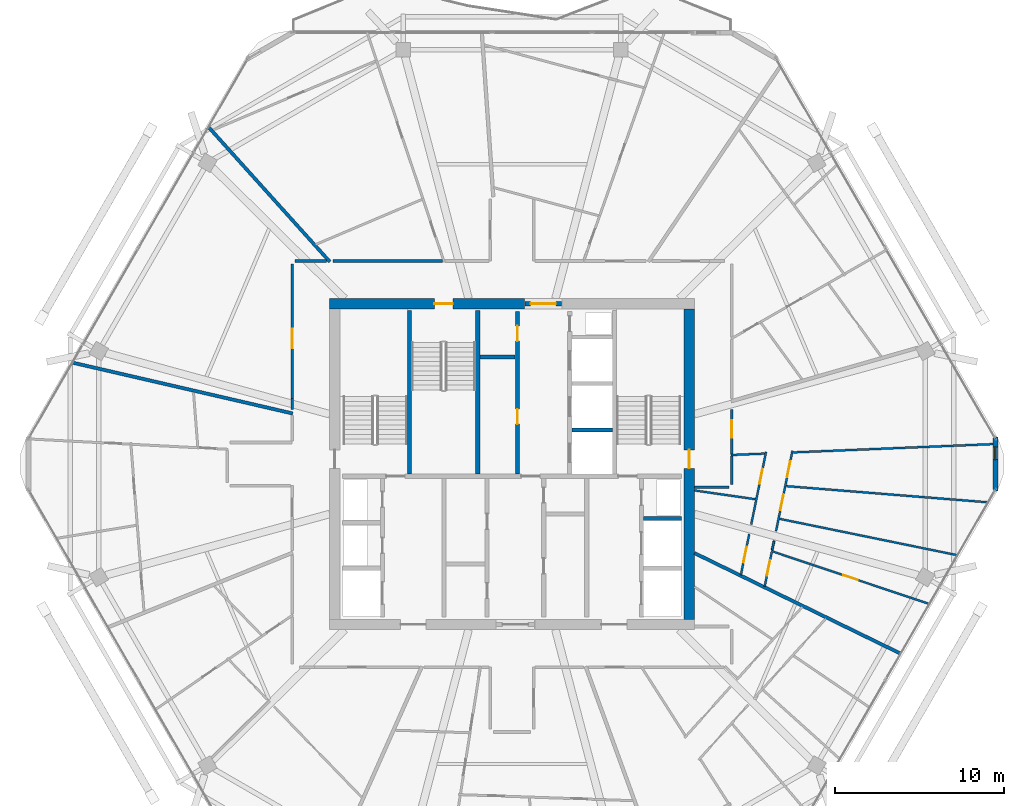
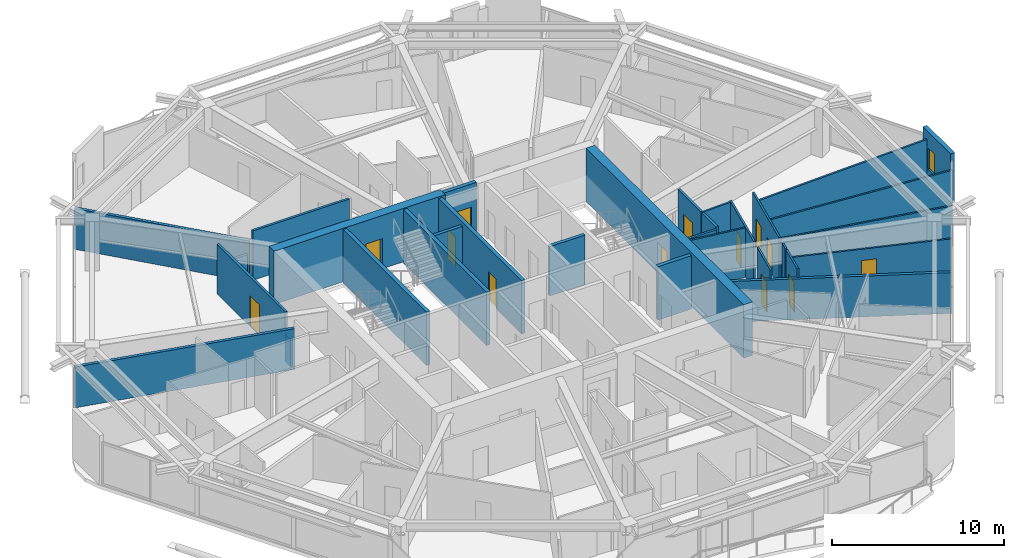
# One storey, part 22 of 26: 31 walls, 13 doors, 1 window, 14 openings.
"""IFC4 building model written with IfcOpenShell, lengths in metres."""

import ifcopenshell
import ifcopenshell.guid

model = None  # the IFC model being written
_history = None  # IfcOwnerHistory: only IFC2X3 demands one
_inside = {}  # id of a spatial element -> (the spatial element, [elements in it])
_under = {}  # id of a project, library or spatial element -> (it, [spatial elements below it])
_declared = {}  # id of a project -> (the project, [libraries it declares])
_typed = {}  # id of a type object -> (the type object, [elements of that type])
_made_of = {}  # id of a material, layer set ... -> (it, [elements and type objects made of it])


def new_model(schema):
    """Start an empty IFC model of exactly this schema.

    Asked for "IFC4X3", IfcOpenShell would pick the latest addendum, in which some entities
    have other attributes; the version numbers below select the first issue.
    IFC2X3 requires an IfcOwnerHistory on every rooted entity: one is made here for all.
    """
    global model, _history
    if schema == "IFC4X3":
        model = ifcopenshell.file(schema_version=(4, 3, 0, 0))
    else:
        model = ifcopenshell.file(schema=schema)
    _inside.clear()
    _under.clear()
    _declared.clear()
    _typed.clear()
    _made_of.clear()
    _history = None
    if model.schema == "IFC2X3":
        org = make("IfcOrganization", Name="unknown")
        user = make(
            "IfcPersonAndOrganization",
            ThePerson=make("IfcPerson", FamilyName="unknown"),
            TheOrganization=org,
        )
        app = make(
            "IfcApplication",
            ApplicationDeveloper=org,
            Version="unknown",
            ApplicationFullName="unknown",
            ApplicationIdentifier="unknown",
        )
        _history = make(
            "IfcOwnerHistory",
            OwningUser=user,
            OwningApplication=app,
            ChangeAction="ADDED",
            CreationDate=0,
        )
    return model


def make(cls, **values):
    """One entity of the class cls with the attributes given. An attribute that is None is left unset."""
    return model.create_entity(
        cls, **{name: value for name, value in values.items() if value is not None}
    )


def rooted(cls, **values):
    """An entity with a GlobalId (a new one), such as an element, a storey or a relation."""
    return make(cls, GlobalId=ifcopenshell.guid.new(), OwnerHistory=_history, **values)


def si_unit(unit_type, name, prefix=None):
    """IfcSIUnit, for example si_unit("LENGTHUNIT", "METRE", prefix="MILLI")."""
    return make("IfcSIUnit", UnitType=unit_type, Prefix=prefix, Name=name)


def assignment(units):
    """IfcUnitAssignment: the units of a project."""
    return None if units is None else make("IfcUnitAssignment", Units=units)


def point(xyz):
    """IfcCartesianPoint."""
    return None if xyz is None else make("IfcCartesianPoint", Coordinates=xyz)


def direction(xyz):
    """IfcDirection."""
    return None if xyz is None else make("IfcDirection", DirectionRatios=xyz)


def frame(location, z_axis=None, x_axis=None):
    """IfcAxis2Placement3D, a coordinate frame: its origin and axes. An axis left out is left unset."""
    return make(
        "IfcAxis2Placement3D",
        Location=point(location),
        Axis=direction(z_axis),
        RefDirection=direction(x_axis),
    )


def frame_2d(location, x_axis=None):
    """IfcAxis2Placement2D, a coordinate frame in the plane: its origin and x axis."""
    return make(
        "IfcAxis2Placement2D", Location=point(location), RefDirection=direction(x_axis)
    )


def origin():
    """The frame at (0, 0, 0) with its axes left unset."""
    return frame((0.0, 0.0, 0.0))


def place(relative_to, where):
    """IfcLocalPlacement: puts the frame where relative to a parent placement (None: the world)."""
    return make(
        "IfcLocalPlacement", PlacementRelTo=relative_to, RelativePlacement=where
    )


def context(
    kind, dimensions, precision=None, world=None, true_north=None, identifier=None
):
    """IfcGeometricRepresentationContext, for example the 3D "Model" context."""
    return make(
        "IfcGeometricRepresentationContext",
        ContextIdentifier=identifier,
        ContextType=kind,
        CoordinateSpaceDimension=dimensions,
        Precision=precision,
        WorldCoordinateSystem=world,
        TrueNorth=true_north,
    )


def subcontext(parent, identifier, kind, view, scale=None):
    """IfcGeometricRepresentationSubContext, for example "Body" below "Model"."""
    return make(
        "IfcGeometricRepresentationSubContext",
        ContextIdentifier=identifier,
        ContextType=kind,
        ParentContext=parent,
        TargetScale=scale,
        TargetView=view,
    )


def project(units=None, contexts=None):
    """IfcProject with its units and contexts."""
    return rooted(
        "IfcProject",
        Name="project",
        RepresentationContexts=contexts,
        UnitsInContext=assignment(units),
    )


def spatial(cls, under=None, at=None, **own):
    """A site, building, storey or space (cls), placed at a placement, below another one or the project."""
    s = rooted(cls, ObjectPlacement=at, **own)
    if under is not None:
        _under.setdefault(under.id(), (under, []))[1].append(s)
    return s


def profile(cls, at=None, kind="AREA", **sizes):
    """A parametric profile (cls). Its sizes go by their IFC names, for example OverallWidth=200.0."""
    return make(cls, ProfileType=kind, Position=at, **sizes)


def rectangle(**sizes):
    """IfcRectangleProfileDef."""
    return profile("IfcRectangleProfileDef", **sizes)


def extrude(swept, where, along, depth):
    """IfcExtrudedAreaSolid: the profile swept, set in the frame where, extruded along a direction by depth."""
    return make(
        "IfcExtrudedAreaSolid",
        SweptArea=swept,
        Position=where,
        ExtrudedDirection=direction(along),
        Depth=depth,
    )


def shape(context_of_items, identifier, shape_type, items):
    """IfcShapeRepresentation: the items that make up one representation, for example the "Body"."""
    return make(
        "IfcShapeRepresentation",
        ContextOfItems=context_of_items,
        RepresentationIdentifier=identifier,
        RepresentationType=shape_type,
        Items=items,
    )


def material(Name=None, Category=None):
    """IfcMaterial."""
    return make("IfcMaterial", Name=Name, Category=Category)


def layer(
    of_material, thickness, ventilated=None, Name=None, Category=None, Priority=None
):
    """IfcMaterialLayer: one layer of a wall or slab, of a material (None: an air gap)."""
    return make(
        "IfcMaterialLayer",
        Material=of_material,
        LayerThickness=thickness,
        IsVentilated=ventilated,
        Name=Name,
        Category=Category,
        Priority=Priority,
    )


def layer_set(layers, Name=None):
    """IfcMaterialLayerSet."""
    return make("IfcMaterialLayerSet", MaterialLayers=layers, LayerSetName=Name)


def made_of(thing, what):
    """Note that an element or type object is made of a material, layer set ...; save() writes the relation."""
    if what is not None:
        _made_of.setdefault(what.id(), (what, []))[1].append(thing)
    return thing


def type_object(cls, material=None, **own):
    """A type object (cls), such as IfcWallType, which elements share."""
    return made_of(rooted(cls, **own), material)


def element(
    cls,
    number,
    at=None,
    inside=None,
    cuts=None,
    type_object=None,
    material=None,
    context=None,
    identifier="Body",
    shape_type=None,
    held_by="IfcProductDefinitionShape",
    body=None,
    shapes=None,
    **own,
):
    """One element of the class cls, such as IfcWall. Its Tag is "e" and its number.

    at: its placement. inside: the storey or other place that contains it. cuts: it is an
    opening in that element (IfcRelVoidsElement). A single representation is given by context,
    identifier, shape_type and body (its items); several are given by shapes. held_by: the class
    of the entity that holds the representations. save() writes the other relations.
    """
    e = rooted(cls, Tag="e%d" % number, ObjectPlacement=at, **own)
    if body is not None:
        shapes = [shape(context, identifier, shape_type, body)]
    if shapes is not None:
        e.Representation = make(held_by, Representations=shapes)
    if inside is not None:
        _inside.setdefault(inside.id(), (inside, []))[1].append(e)
    if cuts is not None:
        rooted(
            "IfcRelVoidsElement", RelatingBuildingElement=cuts, RelatedOpeningElement=e
        )
    if type_object is not None:
        _typed.setdefault(type_object.id(), (type_object, []))[1].append(e)
    return made_of(e, material)


def fill(opening, filler):
    """IfcRelFillsElement: the door or window that sits in an opening."""
    return rooted(
        "IfcRelFillsElement",
        RelatingOpeningElement=opening,
        RelatedBuildingElement=filler,
    )


def aggregate(whole, parts):
    """IfcRelAggregates: a whole, such as a stair, and the parts it consists of."""
    return rooted("IfcRelAggregates", RelatingObject=whole, RelatedObjects=parts)


def save(model, path):
    """Write the relations noted so far, then the file.

    IfcRelAggregates (storeys below a building ...), IfcRelContainedInSpatialStructure (elements
    in a storey), IfcRelDefinesByType, IfcRelAssociatesMaterial and IfcRelDeclares: one each for
    every whole, place, type object, material and project.
    """
    for whole, parts in _under.values():
        aggregate(whole, parts)
    for where, things in _inside.values():
        rooted(
            "IfcRelContainedInSpatialStructure",
            RelatedElements=things,
            RelatingStructure=where,
        )
    for kind, things in _typed.values():
        rooted("IfcRelDefinesByType", RelatedObjects=things, RelatingType=kind)
    for what, things in _made_of.values():
        rooted("IfcRelAssociatesMaterial", RelatedObjects=things, RelatingMaterial=what)
    for by, libraries in _declared.values():
        rooted("IfcRelDeclares", RelatingContext=by, RelatedDefinitions=libraries)
    model.write(path)


model = new_model("IFC4")

# Units and contexts
model_context = context("Model", 3, precision=1e-05, world=origin(), true_north=direction((0.0, 1.0)))
body_context = subcontext(model_context, "Body", "Model", "MODEL_VIEW")
ifc_project = project(units=[si_unit("LENGTHUNIT", "METRE"), si_unit("AREAUNIT", "SQUARE_METRE"), si_unit("VOLUMEUNIT", "CUBIC_METRE"), si_unit("PLANEANGLEUNIT", "RADIAN"), si_unit("MASSUNIT", "GRAM", prefix="KILO")], contexts=[model_context])

# Site, building, storey
site_placement = place(None, origin())
site = spatial("IfcSite", under=ifc_project, at=site_placement, CompositionType="ELEMENT")
building_placement = place(site_placement, origin())
building = spatial("IfcBuilding", under=site, at=building_placement, Name="Zuhravey Tower", CompositionType="ELEMENT")
storey_placement = place(building_placement, frame((0.0, 0.0, 299.60009765625)))
storey = spatial("IfcBuildingStorey", under=building, at=storey_placement, Name="L76", CompositionType="ELEMENT", Elevation=299.60009765625)

# Wall, opening, door
ifc_material_1 = material(Name="Concrete C50/60", Category="concrete")
ifc_layer_1 = layer(ifc_material_1, 0.60009765625)
ifc_layer_set_1 = layer_set([ifc_layer_1], Name="Concrete C50/60")
wall_type_1 = type_object("IfcWallType", Name="Core Shear Wall 600", PredefinedType="SHEAR", material=ifc_layer_set_1)
wall_1_placement = place(storey_placement, frame((36.75, 41.5, 0.0), z_axis=(0.0, 0.0, 1.0), x_axis=(-1.0, 0.0, 0.0)))
wall_1 = element("IfcWall", 1, at=wall_1_placement, inside=storey, type_object=wall_type_1, Name="L76 North-West Core Shear Wall CW60", PredefinedType="SHEAR", context=body_context, shape_type="SweptSolid", body=[
    extrude(rectangle(XDim=11.550048828125, YDim=0.60009765625, at=frame_2d((5.77490234375, 0.0))), origin(), (0.0, 0.0, 1.0), 3.7998046875),
])
opening_1_placement = place(wall_1_placement, frame((4.25, 0.0, 0.0)))
opening_1 = element("IfcOpeningElement", 2, at=opening_1_placement, cuts=wall_1, Name="Opening STD1", PredefinedType="OPENING", context=body_context, shape_type="SweptSolid", body=[
    extrude(rectangle(XDim=1.10009765625, YDim=2.14990234375, at=frame_2d((0.550048828125, 1.074951171875))), frame((0.0, 0.31201171875, 0.0), z_axis=(0.0, -1.0, 0.0), x_axis=(1.0, 0.0, 0.0)), (0.0, 0.0, 1.0), 0.6240234375),
])
ifc_material_2 = material(Name="Galvanised fire-rated steel leaf", Category="steel")
door_type_1 = type_object("IfcDoorType", Name="Protected Stair Fire Door 1100x2150", OperationType="NOTDEFINED", PredefinedType="USERDEFINED", material=ifc_material_2)
door_1_placement = place(opening_1_placement, origin())
door_1 = element("IfcDoor", 3, at=door_1_placement, inside=storey, type_object=door_type_1, Name="L76 Stair ST3 Door", ObjectType="EXITDOOR", OperationType="SINGLE_SWING_RIGHT", OverallHeight=2.14990234375, OverallWidth=1.10009765625, PredefinedType="USERDEFINED", context=body_context, shape_type="SweptSolid", body=[
    extrude(rectangle(XDim=1.10009765625, YDim=2.14990234375, at=frame_2d((0.550048828125, 1.074951171875))), frame((0.0, 0.02490234375, 0.0), z_axis=(0.0, -1.0, 0.0), x_axis=(1.0, 0.0, 0.0)), (0.0, 0.0, 1.0), 0.050048828125),
])
fill(opening_1, door_1)

wall_2_placement = place(storey_placement, frame((46.5, 22.800048828125, 0.0), z_axis=(0.0, 0.0, 1.0), x_axis=(0.0, 1.0, 0.0)))
wall_2 = element("IfcWall", 4, at=wall_2_placement, inside=storey, type_object=wall_type_1, Name="L76 East Core Shear Wall CW60", PredefinedType="SHEAR", context=body_context, shape_type="SweptSolid", body=[
    extrude(rectangle(XDim=18.39990234375, YDim=0.60009765625, at=frame_2d((9.199951171875, 0.0))), origin(), (0.0, 0.0, 1.0), 3.7998046875),
])
opening_2_placement = place(wall_2_placement, frame((8.949951171875, 0.0, 0.0)))
opening_2 = element("IfcOpeningElement", 5, at=opening_2_placement, cuts=wall_2, Name="Opening STD1", PredefinedType="OPENING", context=body_context, shape_type="SweptSolid", body=[
    extrude(rectangle(XDim=1.10009765625, YDim=2.14990234375, at=frame_2d((0.550048828125, 1.074951171875))), frame((0.0, 0.31201171875, 0.0), z_axis=(0.0, -1.0, 0.0), x_axis=(1.0, 0.0, 0.0)), (0.0, 0.0, 1.0), 0.6240234375),
])
door_2_placement = place(opening_2_placement, origin())
door_2 = element("IfcDoor", 6, at=door_2_placement, inside=storey, type_object=door_type_1, Name="L76 Stair ST2 Door", ObjectType="EXITDOOR", OperationType="SINGLE_SWING_LEFT", OverallHeight=2.14990234375, OverallWidth=1.10009765625, PredefinedType="USERDEFINED", context=body_context, shape_type="SweptSolid", body=[
    extrude(rectangle(XDim=1.10009765625, YDim=2.14990234375, at=frame_2d((0.550048828125, 1.074951171875))), frame((0.0, 0.02490234375, 0.0), z_axis=(0.0, -1.0, 0.0), x_axis=(1.0, 0.0, 0.0)), (0.0, 0.0, 1.0), 0.050048828125),
])
fill(opening_2, door_2)

ifc_material_3 = material(Name="Gypsum fire-rated stud partition")
ifc_layer_2 = layer(ifc_material_3, 0.159912109375)
ifc_layer_set_2 = layer_set([ifc_layer_2], Name="Gypsum fire-rated stud partition")
wall_type_2 = type_object("IfcWallType", Name="Corridor Fire Partition 160", PredefinedType="PARTITIONING", material=ifc_layer_set_2)
wall_3_placement = place(storey_placement, frame((49.030029296875, 32.5615234375, 0.0), z_axis=(0.0, 0.0, 1.0), x_axis=(0.0, 1.0, 0.0)))
wall_3 = element("IfcWall", 7, at=wall_3_placement, inside=storey, type_object=wall_type_2, Name="L76 IW16 Partition 045", PredefinedType="PARTITIONING", context=body_context, shape_type="SweptSolid", body=[
    extrude(rectangle(XDim=2.680908203125, YDim=0.159912109375, at=frame_2d((1.34033203125, 0.0))), origin(), (0.0, 0.0, 1.0), 3.52001953125),
])
opening_3_placement = place(wall_3_placement, frame((0.990478515625, 0.0, 0.0)))
opening_3 = element("IfcOpeningElement", 8, at=opening_3_placement, cuts=wall_3, Name="Opening APD1", PredefinedType="OPENING", context=body_context, shape_type="SweptSolid", body=[
    extrude(rectangle(XDim=1.050048828125, YDim=2.14990234375, at=frame_2d((0.52490234375, 1.074951171875))), frame((0.0, 0.092041015625, 0.0), z_axis=(0.0, -1.0, 0.0), x_axis=(1.0, 0.0, 0.0)), (0.0, 0.0, 1.0), 0.183837890625),
])
ifc_material_4 = material(Name="Solid-core oak fire-rated leaf")
door_type_2 = type_object("IfcDoorType", Name="Apartment Entrance Fire Door 1050x2150", OperationType="NOTDEFINED", PredefinedType="DOOR", material=ifc_material_4)
door_3_placement = place(opening_3_placement, frame((1.050048828125, 0.0, 0.0), z_axis=(0.0, 0.0, 1.0), x_axis=(-1.0, 0.0, 0.0)))
door_3 = element("IfcDoor", 9, at=door_3_placement, inside=storey, type_object=door_type_2, Name="L76 Door 045.1", OperationType="SINGLE_SWING_RIGHT", OverallHeight=2.14990234375, OverallWidth=1.050048828125, PredefinedType="DOOR", context=body_context, shape_type="SweptSolid", body=[
    extrude(rectangle(XDim=1.050048828125, YDim=2.14990234375, at=frame_2d((0.52490234375, 1.074951171875))), frame((0.0, 0.02490234375, 0.0), z_axis=(0.0, -1.0, 0.0), x_axis=(1.0, 0.0, 0.0)), (0.0, 0.0, 1.0), 0.050048828125),
])
fill(opening_3, door_3)

wall_4_placement = place(storey_placement, frame((22.969970703125, 43.85009765625, 0.0), z_axis=(0.0, 0.0, 1.0), x_axis=(0.0, -1.0, 0.0)))
wall_4 = element("IfcWall", 10, at=wall_4_placement, inside=storey, type_object=wall_type_2, Name="L76 IW16 Partition 060", PredefinedType="PARTITIONING", context=body_context, shape_type="SweptSolid", body=[
    extrude(rectangle(XDim=7.962646484375, YDim=0.159912109375, at=frame_2d((3.9814453125, 0.0))), origin(), (0.0, 0.0, 1.0), 3.52001953125),
])
opening_4_placement = place(wall_4_placement, frame((3.835693359375, 0.0, 0.0)))
opening_4 = element("IfcOpeningElement", 11, at=opening_4_placement, cuts=wall_4, Name="Opening CLD1", PredefinedType="OPENING", context=body_context, shape_type="SweptSolid", body=[
    extrude(rectangle(XDim=1.14990234375, YDim=2.199951171875, at=frame_2d((0.574951171875, 1.10009765625))), frame((0.0, 0.092041015625, 0.0), z_axis=(0.0, -1.0, 0.0), x_axis=(1.0, 0.0, 0.0)), (0.0, 0.0, 1.0), 0.183837890625),
])
ifc_material_5 = material(Name="Acoustic timber leaf with vision lite", Category="wood")
door_type_3 = type_object("IfcDoorType", Name="Classroom Acoustic Door 1150x2200", OperationType="NOTDEFINED", PredefinedType="DOOR", material=ifc_material_5)
door_4_placement = place(opening_4_placement, frame((1.14990234375, 0.0, 0.0), z_axis=(0.0, 0.0, 1.0), x_axis=(-1.0, 0.0, 0.0)))
door_4 = element("IfcDoor", 12, at=door_4_placement, inside=storey, type_object=door_type_3, Name="L76 Door 060.1", OperationType="SINGLE_SWING_LEFT", OverallHeight=2.199951171875, OverallWidth=1.14990234375, PredefinedType="DOOR", context=body_context, shape_type="SweptSolid", body=[
    extrude(rectangle(XDim=1.14990234375, YDim=2.199951171875, at=frame_2d((0.574951171875, 1.10009765625))), frame((0.0, 0.02490234375, 0.0), z_axis=(0.0, -1.0, 0.0), x_axis=(1.0, 0.0, 0.0)), (0.0, 0.0, 1.0), 0.050048828125),
])
fill(opening_4, door_4)

# Walls
wall_5_placement = place(storey_placement, frame((22.969970703125, 35.887451171875, 0.0), z_axis=(0.0, 0.0, 1.0), x_axis=(0.0, -1.0, 0.0)))
element("IfcWall", 13, at=wall_5_placement, inside=storey, type_object=wall_type_2, Name="L76 IW16 Partition 119", PredefinedType="PARTITIONING", context=body_context, shape_type="SweptSolid", body=[
    extrude(rectangle(XDim=0.64501953125, YDim=0.159912109375, at=frame_2d((0.322509765625, 0.0))), origin(), (0.0, 0.0, 1.0), 1.969970703125),
])
wall_6_placement = place(storey_placement, frame((46.820068359375, 30.6201171875, 0.0), z_axis=(0.0, 0.0, 1.0), x_axis=(1.0, 0.0, 0.0)))
element("IfcWall", 14, at=wall_6_placement, inside=storey, type_object=wall_type_2, Name="L76 IW16 Partition 137", PredefinedType="PARTITIONING", context=body_context, shape_type="SweptSolid", body=[
    extrude(rectangle(XDim=2.030029296875, YDim=0.159912109375, at=frame_2d((1.01513671875, 0.0))), origin(), (0.0, 0.0, 1.0), 3.52001953125),
])
wall_7_placement = place(storey_placement, frame((49.030029296875, 30.800048828125, 0.0), z_axis=(0.0, 0.0, 1.0), x_axis=(0.0, 1.0, 0.0)))
element("IfcWall", 15, at=wall_7_placement, inside=storey, type_object=wall_type_2, Name="L76 IW16 Partition 138", PredefinedType="PARTITIONING", context=body_context, shape_type="SweptSolid", body=[
    extrude(rectangle(XDim=1.67333984375, YDim=0.159912109375, at=frame_2d((0.836669921875, 0.0))), origin(), (0.0, 0.0, 1.0), 3.52001953125),
])
wall_8_placement = place(storey_placement, frame((31.88916015625, 44.030029296875, 0.0), z_axis=(0.0, 0.0, 1.0), x_axis=(-1.0, 0.0, 0.0)))
element("IfcWall", 16, at=wall_8_placement, inside=storey, type_object=wall_type_2, Name="L76 IW16 Partition 144", PredefinedType="PARTITIONING", context=body_context, shape_type="SweptSolid", body=[
    extrude(rectangle(XDim=6.505615234375, YDim=0.159912109375, at=frame_2d((3.2529296875, 0.0))), origin(), (0.0, 0.0, 1.0), 3.52001953125),
])
wall_9_placement = place(storey_placement, frame((25.02294921875, 44.030029296875, 0.0), z_axis=(0.0, 0.0, 1.0), x_axis=(-1.0, 0.0, 0.0)))
element("IfcWall", 17, at=wall_9_placement, inside=storey, type_object=wall_type_2, Name="L76 IW16 Partition 145", PredefinedType="PARTITIONING", context=body_context, shape_type="SweptSolid", body=[
    extrude(rectangle(XDim=1.873046875, YDim=0.159912109375, at=frame_2d((0.9365234375, 0.0))), origin(), (0.0, 0.0, 1.0), 1.969970703125),
])

# Wall, opening, window
ifc_material_6 = material(Name="Precast concrete C40/50", Category="concrete")
ifc_layer_3 = layer(ifc_material_6, 0.280029296875)
ifc_layer_set_3 = layer_set([ifc_layer_3], Name="Precast concrete C40/50")
wall_type_3 = type_object("IfcWallType", Name="Crown Architectural Wall 280", PredefinedType="SOLIDWALL", material=ifc_layer_set_3)
wall_10_placement = place(storey_placement, frame((64.64501953125, 33.607421875, 0.0), z_axis=(0.0, 0.0, 1.0), x_axis=(0.0, -1.0, 0.0)))
wall_10 = element("IfcWall", 18, at=wall_10_placement, inside=storey, type_object=wall_type_3, Name="L76 Rounded Corner Closure Wall EW28-12", PredefinedType="SOLIDWALL", context=body_context, shape_type="SweptSolid", body=[
    extrude(rectangle(XDim=3.21484375, YDim=0.280029296875, at=frame_2d((1.607421875, 0.0))), origin(), (0.0, 0.0, 1.0), 3.52001953125),
])
opening_5_placement = place(wall_10_placement, frame((0.58935546875, 0.0, 0.85009765625)))
opening_5 = element("IfcOpeningElement", 19, at=opening_5_placement, cuts=wall_10, Name="Opening WN5", PredefinedType="OPENING", context=body_context, shape_type="SweptSolid", body=[
    extrude(rectangle(XDim=0.75, YDim=1.5, at=frame_2d((0.375, 0.75))), frame((0.0, 0.152099609375, 0.0), z_axis=(0.0, -1.0, 0.0), x_axis=(1.0, 0.0, 0.0)), (0.0, 0.0, 1.0), 0.303955078125),
])
ifc_material_7 = material(Name="Thermally broken aluminium and triple low-E glass", Category="aluminium")
window_type = type_object("IfcWindowType", Name="Residential Corner Casement Window 750x1500", PartitioningType="SINGLE_PANEL", PredefinedType="WINDOW", material=ifc_material_7)
window_placement = place(opening_5_placement, origin())
window = element("IfcWindow", 20, at=window_placement, inside=storey, type_object=window_type, Name="L76 Corner Casement Window WN5-12.1", OverallHeight=1.5, OverallWidth=0.75, PartitioningType="SINGLE_PANEL", PredefinedType="WINDOW", context=body_context, shape_type="SweptSolid", body=[
    extrude(rectangle(XDim=0.75, YDim=1.5, at=frame_2d((0.375, 0.75))), frame((0.0, 0.030029296875, 0.0), z_axis=(0.0, -1.0, 0.0), x_axis=(1.0, 0.0, 0.0)), (0.0, 0.0, 1.0), 0.06005859375),
])
fill(opening_5, window)

# Wall, opening, door
ifc_layer_4 = layer(ifc_material_1, 0.25)
ifc_layer_set_4 = layer_set([ifc_layer_4], Name="Concrete C50/60")
wall_type_4 = type_object("IfcWallType", Name="Firefighting Shaft & Stair Wall 250", PredefinedType="SOLIDWALL", material=ifc_layer_set_4)
wall_11_placement = place(storey_placement, frame((36.760009765625, 41.5, 0.0), z_axis=(0.0, 0.0, 1.0), x_axis=(1.0, 0.0, 0.0)))
wall_11 = element("IfcWall", 21, at=wall_11_placement, inside=storey, type_object=wall_type_4, Name="L76 FW25 Shaft Wall 002", PredefinedType="SOLIDWALL", context=body_context, shape_type="SweptSolid", body=[
    extrude(rectangle(XDim=2.179931640625, YDim=0.25, at=frame_2d((1.08984375, 0.0))), origin(), (0.0, 0.0, 1.0), 3.7998046875),
])
opening_6_placement = place(wall_11_placement, frame((0.340087890625, 0.0, 0.0)))
opening_6 = element("IfcOpeningElement", 22, at=opening_6_placement, cuts=wall_11, Name="Opening FFD1", PredefinedType="OPENING", context=body_context, shape_type="SweptSolid", body=[
    extrude(rectangle(XDim=1.5, YDim=2.14990234375, at=frame_2d((0.75, 1.074951171875))), frame((0.0, 0.136962890625, 0.0), z_axis=(0.0, -1.0, 0.0), x_axis=(1.0, 0.0, 0.0)), (0.0, 0.0, 1.0), 0.27392578125),
])
door_type_4 = type_object("IfcDoorType", Name="Firefighting Lobby Double Door 1500x2150", OperationType="DOUBLE_DOOR_SINGLE_SWING", PredefinedType="DOOR", material=ifc_material_2)
door_5_placement = place(opening_6_placement, origin())
door_5 = element("IfcDoor", 23, at=door_5_placement, inside=storey, type_object=door_type_4, Name="L76 North Lift Lobby Exit Door", OperationType="DOUBLE_DOOR_SINGLE_SWING", OverallHeight=2.14990234375, OverallWidth=1.5, PredefinedType="DOOR", context=body_context, shape_type="SweptSolid", body=[
    extrude(rectangle(XDim=1.5, YDim=2.14990234375, at=frame_2d((0.75, 1.074951171875))), frame((0.0, 0.02490234375, 0.0), z_axis=(0.0, -1.0, 0.0), x_axis=(1.0, 0.0, 0.0)), (0.0, 0.0, 1.0), 0.050048828125),
])
fill(opening_6, door_5)

# Walls
for number, where, z_axis, x_axis, name in (
    (24, (29.925048828125, 31.39990234375, 0.0), (0.0, 0.0, 1.0), (0.0, 1.0, 0.0), "L76 FW25 Shaft Wall 004"),
    (25, (33.97509765625, 31.39990234375, 0.0), (0.0, 0.0, 1.0), (0.0, 1.0, 0.0), "L76 FW25 Shaft Wall 005"),
):
    element("IfcWall", number, at=place(storey_placement, frame(where, z_axis=z_axis, x_axis=x_axis)), inside=storey, type_object=wall_type_4, Name=name, PredefinedType="SOLIDWALL", context=body_context, shape_type="SweptSolid", body=[
        extrude(rectangle(XDim=9.7001953125, YDim=0.25, at=frame_2d((4.85009765625, 0.0))), origin(), (0.0, 0.0, 1.0), 3.7998046875),
    ])

# Wall, openings, doors
wall_12_placement = place(storey_placement, frame((36.324951171875, 31.39990234375, 0.0), z_axis=(0.0, 0.0, 1.0), x_axis=(0.0, 1.0, 0.0)))
wall_12 = element("IfcWall", 26, at=wall_12_placement, inside=storey, type_object=wall_type_4, Name="L76 FW25 Shaft Wall 007", PredefinedType="SOLIDWALL", context=body_context, shape_type="SweptSolid", body=[
    extrude(rectangle(XDim=9.650146484375, YDim=0.25, at=frame_2d((4.8251953125, 0.0))), origin(), (0.0, 0.0, 1.0), 3.7998046875),
])
opening_7_placement = place(wall_12_placement, frame((2.965087890625, 0.0, 0.0)))
opening_7 = element("IfcOpeningElement", 27, at=opening_7_placement, cuts=wall_12, Name="Opening RSD1", PredefinedType="OPENING", context=body_context, shape_type="SweptSolid", body=[
    extrude(rectangle(XDim=0.89990234375, YDim=2.10009765625, at=frame_2d((0.449951171875, 1.050048828125))), frame((0.0, 0.136962890625, 0.0), z_axis=(0.0, -1.0, 0.0), x_axis=(1.0, 0.0, 0.0)), (0.0, 0.0, 1.0), 0.27392578125),
])
opening_8_placement = place(wall_12_placement, frame((7.885009765625, 0.0, 0.0)))
opening_8 = element("IfcOpeningElement", 28, at=opening_8_placement, cuts=wall_12, Name="Opening RSD1", PredefinedType="OPENING", context=body_context, shape_type="SweptSolid", body=[
    extrude(rectangle(XDim=0.89990234375, YDim=2.10009765625, at=frame_2d((0.449951171875, 1.050048828125))), frame((0.0, 0.136962890625, 0.0), z_axis=(0.0, -1.0, 0.0), x_axis=(1.0, 0.0, 0.0)), (0.0, 0.0, 1.0), 0.27392578125),
])
ifc_material_8 = material(Name="Galvanised fire-rated steel access leaf", Category="steel")
door_type_5 = type_object("IfcDoorType", Name="Riser & Shaft Access Fire Door 900x2100", OperationType="NOTDEFINED", PredefinedType="DOOR", material=ifc_material_8)
door_6_placement = place(opening_7_placement, origin())
door_6 = element("IfcDoor", 29, at=door_6_placement, inside=storey, type_object=door_type_5, Name="L76 Equipment and Refuse Store Door", OperationType="SINGLE_SWING_RIGHT", OverallHeight=2.10009765625, OverallWidth=0.89990234375, PredefinedType="DOOR", context=body_context, shape_type="SweptSolid", body=[
    extrude(rectangle(XDim=0.89990234375, YDim=2.10009765625, at=frame_2d((0.449951171875, 1.050048828125))), frame((0.0, 0.02490234375, 0.0), z_axis=(0.0, -1.0, 0.0), x_axis=(1.0, 0.0, 0.0)), (0.0, 0.0, 1.0), 0.050048828125),
])
fill(opening_7, door_6)
door_7_placement = place(opening_8_placement, origin())
door_7 = element("IfcDoor", 30, at=door_7_placement, inside=storey, type_object=door_type_5, Name="L76 BMS Control Room Door", OperationType="SINGLE_SWING_LEFT", OverallHeight=2.10009765625, OverallWidth=0.89990234375, PredefinedType="DOOR", context=body_context, shape_type="SweptSolid", body=[
    extrude(rectangle(XDim=0.89990234375, YDim=2.10009765625, at=frame_2d((0.449951171875, 1.050048828125))), frame((0.0, 0.02490234375, 0.0), z_axis=(0.0, -1.0, 0.0), x_axis=(1.0, 0.0, 0.0)), (0.0, 0.0, 1.0), 0.050048828125),
])
fill(opening_8, door_7)

# Walls
wall_13_placement = place(storey_placement, frame((43.800048828125, 28.77490234375, 0.0), z_axis=(0.0, 0.0, 1.0), x_axis=(1.0, 0.0, 0.0)))
element("IfcWall", 31, at=wall_13_placement, inside=storey, type_object=wall_type_4, Name="L76 FW25 Shaft Wall 019", PredefinedType="SOLIDWALL", context=body_context, shape_type="SweptSolid", body=[
    extrude(rectangle(XDim=2.25, YDim=0.25, at=frame_2d((1.125, 0.0))), origin(), (0.0, 0.0, 1.0), 3.7998046875),
])
ifc_material_9 = material(Name="Gypsum double-stud party assembly")
ifc_layer_5 = layer(ifc_material_9, 0.199951171875)
ifc_layer_set_5 = layer_set([ifc_layer_5], Name="Gypsum double-stud party assembly")
wall_type_5 = type_object("IfcWallType", Name="Inter-Tenancy Party Wall 200", PredefinedType="PARTITIONING", material=ifc_layer_set_5)
wall_14_placement = place(storey_placement, frame((46.80810546875, 26.728515625, 0.0), z_axis=(0.0, 0.0, 1.0), x_axis=(0.89879587414, -0.438367399141, 0.0)))
element("IfcWall", 32, at=wall_14_placement, inside=storey, type_object=wall_type_5, Name="L76 IW20 Partition 094", PredefinedType="PARTITIONING", context=body_context, shape_type="SweptSolid", body=[
    extrude(rectangle(XDim=13.600830078125, YDim=0.199951171875, at=frame_2d((6.80029296875, 0.0))), origin(), (0.0, 0.0, 1.0), 2.89990234375),
])
wall_15_placement = place(storey_placement, frame((25.2041015625, 43.989990234375, 0.0), z_axis=(0.0, 0.0, 1.0), x_axis=(-0.669124143022, 0.743150645041, 0.0)))
element("IfcWall", 33, at=wall_15_placement, inside=storey, type_object=wall_type_5, Name="L76 IW20 Partition 118", PredefinedType="PARTITIONING", context=body_context, shape_type="SweptSolid", body=[
    extrude(rectangle(XDim=10.744873046875, YDim=0.199951171875, at=frame_2d((5.37255859375, 0.0))), origin(), (0.0, 0.0, 1.0), 2.89990234375),
])
wall_16_placement = place(storey_placement, frame((23.010009765625, 34.9990234375, 0.0), z_axis=(0.0, 0.0, 1.0), x_axis=(-0.974372460803, 0.224940675799, 0.0)))
element("IfcWall", 34, at=wall_16_placement, inside=storey, type_object=wall_type_5, Name="L76 IW20 Partition 120", PredefinedType="PARTITIONING", context=body_context, shape_type="SweptSolid", body=[
    extrude(rectangle(XDim=13.39990234375, YDim=0.199951171875, at=frame_2d((6.699951171875, 0.0))), origin(), (0.0, 0.0, 1.0), 2.89990234375),
])
ifc_material_10 = material(Name="Gypsum acoustic stud assembly")
ifc_layer_6 = layer(ifc_material_10, 0.219970703125)
ifc_layer_set_6 = layer_set([ifc_layer_6], Name="Gypsum acoustic stud assembly")
wall_type_6 = type_object("IfcWallType", Name="School Acoustic Compartment Wall 220", PredefinedType="PARTITIONING", material=ifc_layer_set_6)
wall_17_placement = place(storey_placement, frame((34.10791015625, 38.35009765625, 0.0), z_axis=(0.0, 0.0, 1.0), x_axis=(1.0, 0.0, 0.0)))
element("IfcWall", 35, at=wall_17_placement, inside=storey, type_object=wall_type_6, Name="L76 IW22 Partition 067", PredefinedType="PARTITIONING", context=body_context, shape_type="SweptSolid", body=[
    extrude(rectangle(XDim=2.083984375, YDim=0.219970703125, at=frame_2d((1.0419921875, 0.0))), origin(), (0.0, 0.0, 1.0), 3.52001953125),
])
wall_18_placement = place(storey_placement, frame((39.55810546875, 34.02490234375, 0.0), z_axis=(0.0, 0.0, 1.0), x_axis=(1.0, 0.0, 0.0)))
element("IfcWall", 36, at=wall_18_placement, inside=storey, type_object=wall_type_6, Name="L76 IW22 Partition 068", PredefinedType="PARTITIONING", context=body_context, shape_type="SweptSolid", body=[
    extrude(rectangle(XDim=2.3837890625, YDim=0.219970703125, at=frame_2d((1.19189453125, 0.0))), origin(), (0.0, 0.0, 1.0), 3.52001953125),
])

# Wall, opening, door
ifc_material_11 = material(Name="Gypsum metal-stud partition")
ifc_layer_7 = layer(ifc_material_11, 0.1201171875)
ifc_layer_set_7 = layer_set([ifc_layer_7], Name="Gypsum metal-stud partition")
wall_type_7 = type_object("IfcWallType", Name="Unit Internal Partition 120", PredefinedType="PARTITIONING", material=ifc_layer_set_7)
wall_19_placement = place(storey_placement, frame((51.372802734375, 26.847412109375, 0.0), z_axis=(0.0, 0.0, 1.0), x_axis=(0.948155725326, -0.317806105245, 0.0)))
wall_19 = element("IfcWall", 37, at=wall_19_placement, inside=storey, type_object=wall_type_7, Name="L76 IW12 Partition 039", PredefinedType="PARTITIONING", context=body_context, shape_type="SweptSolid", body=[
    extrude(rectangle(XDim=9.88134765625, YDim=0.1201171875, at=frame_2d((4.940673828125, 0.0))), origin(), (0.0, 0.0, 1.0), 2.89990234375),
])
opening_9_placement = place(wall_19_placement, frame((4.49072265625, 0.0, 0.0)))
opening_9 = element("IfcOpeningElement", 38, at=opening_9_placement, cuts=wall_19, Name="Opening WCD1", PredefinedType="OPENING", context=body_context, shape_type="SweptSolid", body=[
    extrude(rectangle(XDim=0.89990234375, YDim=2.10009765625, at=frame_2d((0.449951171875, 1.050048828125))), frame((0.0, 0.072021484375, 0.0), z_axis=(0.0, -1.0, 0.0), x_axis=(1.0, 0.0, 0.0)), (0.0, 0.0, 1.0), 0.14404296875),
])
ifc_material_12 = material(Name="Moisture-resistant timber leaf", Category="wood")
door_type_6 = type_object("IfcDoorType", Name="Bathroom & WC Internal Door 900x2100", OperationType="NOTDEFINED", PredefinedType="DOOR", material=ifc_material_12)
door_8_placement = place(opening_9_placement, origin())
door_8 = element("IfcDoor", 39, at=door_8_placement, inside=storey, type_object=door_type_6, Name="Apartment L76-04 Bedroom 2 Door", OperationType="SINGLE_SWING_RIGHT", OverallHeight=2.10009765625, OverallWidth=0.89990234375, PredefinedType="DOOR", context=body_context, shape_type="SweptSolid", body=[
    extrude(rectangle(XDim=0.89990234375, YDim=2.10009765625, at=frame_2d((0.449951171875, 1.050048828125))), frame((0.0, 0.02490234375, 0.0), z_axis=(0.0, -1.0, 0.0), x_axis=(1.0, 0.0, 0.0)), (0.0, 0.0, 1.0), 0.050048828125),
])
fill(opening_9, door_8)

wall_20_placement = place(storey_placement, frame((49.560302734375, 25.42138671875, 0.0), z_axis=(0.0, 0.0, 1.0), x_axis=(0.200359687584, 0.979722407415, 0.0)))
wall_20 = element("IfcWall", 40, at=wall_20_placement, inside=storey, type_object=wall_type_7, Name="L76 IW12 Partition 040", PredefinedType="PARTITIONING", context=body_context, shape_type="SweptSolid", body=[
    extrude(rectangle(XDim=2.477294921875, YDim=0.1201171875, at=frame_2d((1.23876953125, 0.0))), origin(), (0.0, 0.0, 1.0), 3.52001953125),
])
opening_10_placement = place(wall_20_placement, frame((0.76513671875, 0.0, 0.0)))
opening_10 = element("IfcOpeningElement", 41, at=opening_10_placement, cuts=wall_20, Name="Opening IND1", PredefinedType="OPENING", context=body_context, shape_type="SweptSolid", body=[
    extrude(rectangle(XDim=0.949951171875, YDim=2.10009765625, at=frame_2d((0.47509765625, 1.050048828125))), frame((0.0, 0.072021484375, 0.0), z_axis=(0.0, -1.0, 0.0), x_axis=(1.0, 0.0, 0.0)), (0.0, 0.0, 1.0), 0.14404296875),
])
ifc_material_13 = material(Name="Painted engineered timber leaf", Category="wood")
door_type_7 = type_object("IfcDoorType", Name="Internal Room & Bedroom Door 950x2100", OperationType="NOTDEFINED", PredefinedType="DOOR", material=ifc_material_13)
door_9_placement = place(opening_10_placement, origin())
door_9 = element("IfcDoor", 42, at=door_9_placement, inside=storey, type_object=door_type_7, Name="Apartment L76-04 Kitchen Door", OperationType="SINGLE_SWING_LEFT", OverallHeight=2.10009765625, OverallWidth=0.949951171875, PredefinedType="DOOR", context=body_context, shape_type="SweptSolid", body=[
    extrude(rectangle(XDim=0.949951171875, YDim=2.10009765625, at=frame_2d((0.47509765625, 1.050048828125))), frame((0.0, 0.02490234375, 0.0), z_axis=(0.0, -1.0, 0.0), x_axis=(1.0, 0.0, 0.0)), (0.0, 0.0, 1.0), 0.050048828125),
])
fill(opening_10, door_9)

wall_21_placement = place(storey_placement, frame((50.175048828125, 28.427490234375, 0.0), z_axis=(0.0, 0.0, 1.0), x_axis=(0.200384097022, 0.979717415207, 0.0)))
wall_21 = element("IfcWall", 43, at=wall_21_placement, inside=storey, type_object=wall_type_7, Name="L76 IW12 Partition 041", PredefinedType="PARTITIONING", context=body_context, shape_type="SweptSolid", body=[
    extrude(rectangle(XDim=4.38720703125, YDim=0.1201171875, at=frame_2d((2.193603515625, 0.0))), origin(), (0.0, 0.0, 1.0), 3.52001953125),
])
opening_11_placement = place(wall_21_placement, frame((2.448486328125, 0.0, 0.0)))
opening_11 = element("IfcOpeningElement", 44, at=opening_11_placement, cuts=wall_21, Name="Opening WCD1", PredefinedType="OPENING", context=body_context, shape_type="SweptSolid", body=[
    extrude(rectangle(XDim=0.89990234375, YDim=2.10009765625, at=frame_2d((0.449951171875, 1.050048828125))), frame((0.0, 0.072021484375, 0.0), z_axis=(0.0, -1.0, 0.0), x_axis=(1.0, 0.0, 0.0)), (0.0, 0.0, 1.0), 0.14404296875),
])
door_10_placement = place(opening_11_placement, origin())
door_10 = element("IfcDoor", 45, at=door_10_placement, inside=storey, type_object=door_type_6, Name="Apartment L76-04 Bathroom Door", OperationType="SINGLE_SWING_RIGHT", OverallHeight=2.10009765625, OverallWidth=0.89990234375, PredefinedType="DOOR", context=body_context, shape_type="SweptSolid", body=[
    extrude(rectangle(XDim=0.89990234375, YDim=2.10009765625, at=frame_2d((0.449951171875, 1.050048828125))), frame((0.0, 0.02490234375, 0.0), z_axis=(0.0, -1.0, 0.0), x_axis=(1.0, 0.0, 0.0)), (0.0, 0.0, 1.0), 0.050048828125),
])
fill(opening_11, door_10)

wall_22_placement = place(storey_placement, frame((50.973876953125, 24.7470703125, 0.0), z_axis=(0.0, 0.0, 1.0), x_axis=(0.20034208957, 0.97972600616, 0.0)))
wall_22 = element("IfcWall", 46, at=wall_22_placement, inside=storey, type_object=wall_type_7, Name="L76 IW12 Partition 042", PredefinedType="PARTITIONING", context=body_context, shape_type="SweptSolid", body=[
    extrude(rectangle(XDim=2.065673828125, YDim=0.1201171875, at=frame_2d((1.03271484375, 0.0))), origin(), (0.0, 0.0, 1.0), 3.52001953125),
])
opening_12_placement = place(wall_22_placement, frame((0.641845703125, 0.0, 0.0)))
opening_12 = element("IfcOpeningElement", 47, at=opening_12_placement, cuts=wall_22, Name="Opening IND1", PredefinedType="OPENING", context=body_context, shape_type="SweptSolid", body=[
    extrude(rectangle(XDim=0.949951171875, YDim=2.10009765625, at=frame_2d((0.47509765625, 1.050048828125))), frame((0.0, 0.072021484375, 0.0), z_axis=(0.0, -1.0, 0.0), x_axis=(1.0, 0.0, 0.0)), (0.0, 0.0, 1.0), 0.14404296875),
])
door_11_placement = place(opening_12_placement, frame((0.949951171875, 0.0, 0.0), z_axis=(0.0, 0.0, 1.0), x_axis=(-1.0, 0.0, 0.0)))
door_11 = element("IfcDoor", 48, at=door_11_placement, inside=storey, type_object=door_type_7, Name="Apartment L76-04 Bedroom 1 Door", OperationType="SINGLE_SWING_LEFT", OverallHeight=2.10009765625, OverallWidth=0.949951171875, PredefinedType="DOOR", context=body_context, shape_type="SweptSolid", body=[
    extrude(rectangle(XDim=0.949951171875, YDim=2.10009765625, at=frame_2d((0.47509765625, 1.050048828125))), frame((0.0, 0.02490234375, 0.0), z_axis=(0.0, -1.0, 0.0), x_axis=(1.0, 0.0, 0.0)), (0.0, 0.0, 1.0), 0.050048828125),
])
fill(opening_12, door_11)

# Wall
wall_23_placement = place(storey_placement, frame((51.415283203125, 26.90478515625, 0.0), z_axis=(0.0, 0.0, 1.0), x_axis=(0.200107137862, 0.979774021587, 0.0)))
element("IfcWall", 49, at=wall_23_placement, inside=storey, type_object=wall_type_7, Name="L76 IW12 Partition 043", PredefinedType="PARTITIONING", context=body_context, shape_type="SweptSolid", body=[
    extrude(rectangle(XDim=0.552734375, YDim=0.1201171875, at=frame_2d((0.2763671875, 0.0))), origin(), (0.0, 0.0, 1.0), 3.52001953125),
])

# Wall, openings, doors
wall_24_placement = place(storey_placement, frame((51.644287109375, 28.025634765625, 0.0), z_axis=(0.0, 0.0, 1.0), x_axis=(0.200380906178, 0.979718067833, 0.0)))
wall_24 = element("IfcWall", 50, at=wall_24_placement, inside=storey, type_object=wall_type_7, Name="L76 IW12 Partition 044", PredefinedType="PARTITIONING", context=body_context, shape_type="SweptSolid", body=[
    extrude(rectangle(XDim=4.86376953125, YDim=0.1201171875, at=frame_2d((2.431884765625, 0.0))), origin(), (0.0, 0.0, 1.0), 3.52001953125),
])
opening_13_placement = place(wall_24_placement, frame((1.269775390625, 0.0, 0.0)))
opening_13 = element("IfcOpeningElement", 51, at=opening_13_placement, cuts=wall_24, Name="Opening IND1", PredefinedType="OPENING", context=body_context, shape_type="SweptSolid", body=[
    extrude(rectangle(XDim=0.949951171875, YDim=2.10009765625, at=frame_2d((0.47509765625, 1.050048828125))), frame((0.0, 0.072021484375, 0.0), z_axis=(0.0, -1.0, 0.0), x_axis=(1.0, 0.0, 0.0)), (0.0, 0.0, 1.0), 0.14404296875),
])
opening_14_placement = place(wall_24_placement, frame((3.27197265625, 0.0, 0.0)))
opening_14 = element("IfcOpeningElement", 52, at=opening_14_placement, cuts=wall_24, Name="Opening IND1", PredefinedType="OPENING", context=body_context, shape_type="SweptSolid", body=[
    extrude(rectangle(XDim=0.949951171875, YDim=2.10009765625, at=frame_2d((0.47509765625, 1.050048828125))), frame((0.0, 0.072021484375, 0.0), z_axis=(0.0, -1.0, 0.0), x_axis=(1.0, 0.0, 0.0)), (0.0, 0.0, 1.0), 0.14404296875),
])
door_12_placement = place(opening_13_placement, frame((0.949951171875, 0.0, 0.0), z_axis=(0.0, 0.0, 1.0), x_axis=(-1.0, 0.0, 0.0)))
door_12 = element("IfcDoor", 53, at=door_12_placement, inside=storey, type_object=door_type_7, Name="Apartment L76-04 Bedroom 3 Door", OperationType="SINGLE_SWING_RIGHT", OverallHeight=2.10009765625, OverallWidth=0.949951171875, PredefinedType="DOOR", context=body_context, shape_type="SweptSolid", body=[
    extrude(rectangle(XDim=0.949951171875, YDim=2.10009765625, at=frame_2d((0.47509765625, 1.050048828125))), frame((0.0, 0.02490234375, 0.0), z_axis=(0.0, -1.0, 0.0), x_axis=(1.0, 0.0, 0.0)), (0.0, 0.0, 1.0), 0.050048828125),
])
fill(opening_13, door_12)
door_13_placement = place(opening_14_placement, frame((0.949951171875, 0.0, 0.0), z_axis=(0.0, 0.0, 1.0), x_axis=(-1.0, 0.0, 0.0)))
door_13 = element("IfcDoor", 54, at=door_13_placement, inside=storey, type_object=door_type_7, Name="Apartment L76-04 Bedroom 4 Door", OperationType="SINGLE_SWING_LEFT", OverallHeight=2.10009765625, OverallWidth=0.949951171875, PredefinedType="DOOR", context=body_context, shape_type="SweptSolid", body=[
    extrude(rectangle(XDim=0.949951171875, YDim=2.10009765625, at=frame_2d((0.47509765625, 1.050048828125))), frame((0.0, 0.02490234375, 0.0), z_axis=(0.0, -1.0, 0.0), x_axis=(1.0, 0.0, 0.0)), (0.0, 0.0, 1.0), 0.050048828125),
])
fill(opening_14, door_13)

# Walls
wall_25_placement = place(storey_placement, frame((46.80810546875, 30.439697265625, 0.0), z_axis=(0.0, 0.0, 1.0), x_axis=(0.989743218854, -0.142857833988, 0.0)))
element("IfcWall", 55, at=wall_25_placement, inside=storey, type_object=wall_type_7, Name="L76 IW12 Partition 095", PredefinedType="PARTITIONING", context=body_context, shape_type="SweptSolid", body=[
    extrude(rectangle(XDim=3.64013671875, YDim=0.1201171875, at=frame_2d((1.820068359375, 0.0))), origin(), (0.0, 0.0, 1.0), 3.52001953125),
])
wall_26_placement = place(storey_placement, frame((51.863037109375, 28.75537109375, 0.0), z_axis=(0.0, 0.0, 1.0), x_axis=(0.979715741748, -0.20039227872, 0.0)))
element("IfcWall", 56, at=wall_26_placement, inside=storey, type_object=wall_type_7, Name="L76 IW12 Partition 096", PredefinedType="PARTITIONING", context=body_context, shape_type="SweptSolid", body=[
    extrude(rectangle(XDim=10.766357421875, YDim=0.1201171875, at=frame_2d((5.38330078125, 0.0))), origin(), (0.0, 0.0, 1.0), 2.89990234375),
])
wall_27_placement = place(storey_placement, frame((52.259765625, 30.694580078125, 0.0), z_axis=(0.0, 0.0, 1.0), x_axis=(0.996793701051, -0.08001448335, 0.0)))
element("IfcWall", 57, at=wall_27_placement, inside=storey, type_object=wall_type_7, Name="L76 IW12 Partition 097", PredefinedType="PARTITIONING", context=body_context, shape_type="SweptSolid", body=[
    extrude(rectangle(XDim=12.00048828125, YDim=0.1201171875, at=frame_2d((6.000244140625, 0.0))), origin(), (0.0, 0.0, 1.0), 2.89990234375),
])
wall_28_placement = place(storey_placement, frame((48.97998046875, 32.53955078125, 0.0), z_axis=(0.0, 0.0, 1.0), x_axis=(0.99914094067, 0.041441291939, 0.0)))
element("IfcWall", 58, at=wall_28_placement, inside=storey, type_object=wall_type_7, Name="L76 IW12 Partition 098", PredefinedType="PARTITIONING", context=body_context, shape_type="SweptSolid", body=[
    extrude(rectangle(XDim=1.9853515625, YDim=0.1201171875, at=frame_2d((0.99267578125, 0.0))), origin(), (0.0, 0.0, 1.0), 3.52001953125),
])
wall_29_placement = place(storey_placement, frame((52.66845703125, 32.69287109375, 0.0), z_axis=(0.0, 0.0, 1.0), x_axis=(0.999137501981, 0.041524115093, 0.0)))
element("IfcWall", 59, at=wall_29_placement, inside=storey, type_object=wall_type_7, Name="L76 IW12 Partition 099", PredefinedType="PARTITIONING", context=body_context, shape_type="SweptSolid", body=[
    extrude(rectangle(XDim=12.11767578125, YDim=0.1201171875, at=frame_2d((6.058837890625, 0.0))), origin(), (0.0, 0.0, 1.0), 2.89990234375),
])

save(model, "model.ifc")
